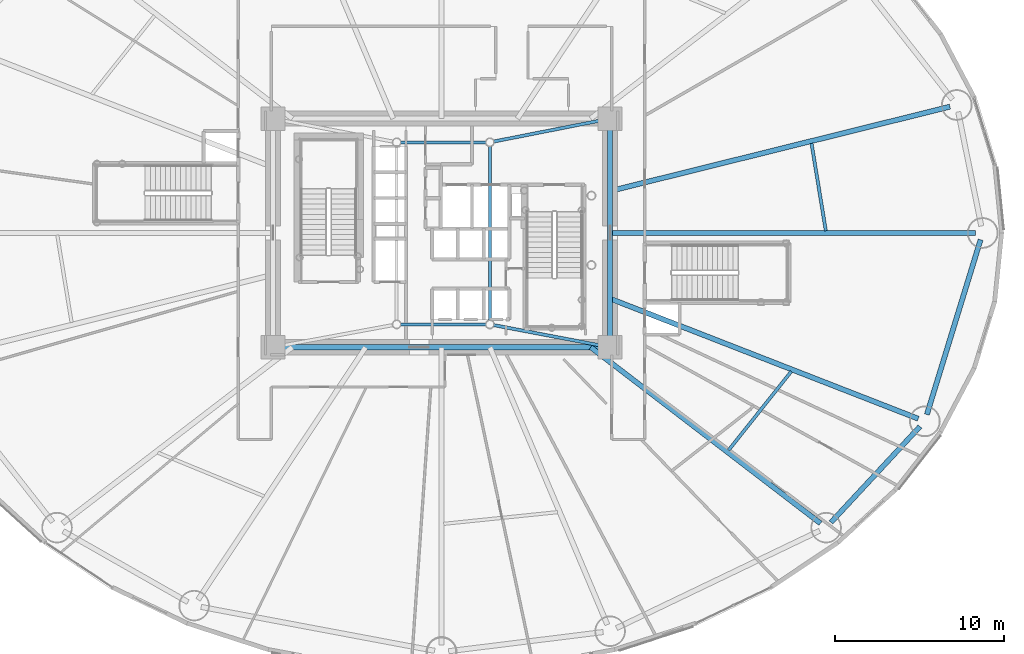
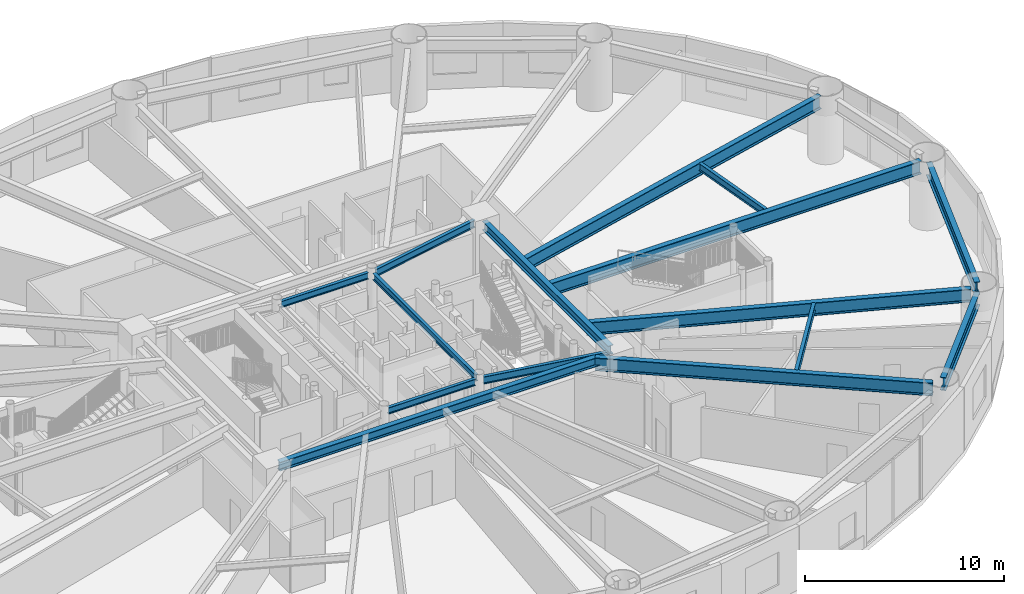
# One storey, part 7 of 27: 15 beams.
"""IFC4 building model written with IfcOpenShell, lengths in metres."""

from ifc_helpers import new_model, si_unit, direction, frame, origin, origin_2d, place, context, subcontext, project, spatial, i_section, extrude, material, material_profile, profile_set, type_object, element, save


model = new_model("IFC4")

# Units and contexts
model_context = context("Model", 3, precision=1e-05, world=origin(), true_north=direction((0.0, 1.0)))
body_context = subcontext(model_context, "Body", "Model", "MODEL_VIEW")
ifc_project = project(units=[si_unit("LENGTHUNIT", "METRE"), si_unit("AREAUNIT", "SQUARE_METRE"), si_unit("VOLUMEUNIT", "CUBIC_METRE"), si_unit("PLANEANGLEUNIT", "RADIAN"), si_unit("MASSUNIT", "GRAM", prefix="KILO")], contexts=[model_context])

# Site, building, storey
site_placement = place(None, origin())
site = spatial("IfcSite", under=ifc_project, at=site_placement, CompositionType="ELEMENT")
building_placement = place(site_placement, origin())
building = spatial("IfcBuilding", under=site, at=building_placement, Name="Linh Dai School and Residence Tower", CompositionType="ELEMENT")
storey_placement = place(building_placement, frame((0.0, 0.0, 14.39990234375)))
storey = spatial("IfcBuildingStorey", under=building, at=storey_placement, Name="L03", CompositionType="ELEMENT", Elevation=14.39990234375)

# Beams
ifc_material = material(Name="Structural Steel S355JR", Category="steel")
ifc_material_profile_1 = material_profile(ifc_material, i_section(OverallWidth=0.300048828125, OverallDepth=0.550048828125, WebThickness=0.014892578125, FlangeThickness=0.029052734375, FilletRadius=0.027099609375, at=origin_2d()), Name="HEB 550")
ifc_profile_set_1 = profile_set([ifc_material_profile_1], Name="Structural Steel S355JR")
beam_type_1 = type_object("IfcBeamType", Name="BM-RG55", PredefinedType="BEAM", material=ifc_profile_set_1)
beam_1_placement = place(storey_placement, frame((26.469970703125, 20.25, 3.625), z_axis=(1.0, 0.0, 0.0), x_axis=(0.0, 1.0, 0.0)))
element("IfcBeam", 1, at=beam_1_placement, inside=storey, type_object=beam_type_1, Name="L03 Core Perimeter Coupling Girder 1", PredefinedType="BEAM", context=body_context, shape_type="SweptSolid", body=[
    extrude(i_section(OverallWidth=0.300048828125, OverallDepth=0.550048828125, WebThickness=0.014892578125, FlangeThickness=0.029052734375, FilletRadius=0.027099609375, at=origin_2d()), origin(), (0.0, 0.0, 1.0), 19.06005859375),
])
beam_2_placement = place(storey_placement, frame((45.949951171875, 20.669921875, 3.625), z_axis=(0.0, 1.0, 0.0), x_axis=(-1.0, 0.0, 0.0)))
element("IfcBeam", 2, at=beam_2_placement, inside=storey, type_object=beam_type_1, Name="L03 Core Perimeter Coupling Girder 2", PredefinedType="BEAM", context=body_context, shape_type="SweptSolid", body=[
    extrude(i_section(OverallWidth=0.300048828125, OverallDepth=0.550048828125, WebThickness=0.014892578125, FlangeThickness=0.029052734375, FilletRadius=0.027099609375, at=origin_2d()), origin(), (0.0, 0.0, 1.0), 12.66015625),
])
ifc_material_profile_2 = material_profile(ifc_material, i_section(OverallWidth=0.300048828125, OverallDepth=0.800048828125, WebThickness=0.017578125, FlangeThickness=0.032958984375, FilletRadius=0.030029296875, at=origin_2d()), Name="HEB 800")
ifc_profile_set_2 = profile_set([ifc_material_profile_2], Name="Structural Steel S355JR")
beam_type_2 = type_object("IfcBeamType", Name="BM-RG8", PredefinedType="BEAM", material=ifc_profile_set_2)
beam_3_placement = place(storey_placement, frame((45.949951171875, 27.0, 3.5), z_axis=(1.0, 0.0, 0.0), x_axis=(0.0, 1.0, 0.0)))
element("IfcBeam", 3, at=beam_3_placement, inside=storey, type_object=beam_type_2, Name="L03 Primary Radial Floor Girder 01", PredefinedType="BEAM", context=body_context, shape_type="SweptSolid", body=[
    extrude(i_section(OverallWidth=0.300048828125, OverallDepth=0.800048828125, WebThickness=0.017578125, FlangeThickness=0.032958984375, FilletRadius=0.030029296875, at=origin_2d()), origin(), (0.0, 0.0, 1.0), 21.580078125),
])
beam_4_placement = place(storey_placement, frame((45.949951171875, 29.47119140625, 3.5), z_axis=(0.970515097282, 0.241040340913, 0.0), x_axis=(-0.241040340913, 0.970515097282, 0.0)))
element("IfcBeam", 4, at=beam_4_placement, inside=storey, type_object=beam_type_2, Name="L03 Primary Radial Floor Girder 02", PredefinedType="BEAM", context=body_context, shape_type="SweptSolid", body=[
    extrude(i_section(OverallWidth=0.300048828125, OverallDepth=0.800048828125, WebThickness=0.017578125, FlangeThickness=0.032958984375, FilletRadius=0.030029296875, at=origin_2d()), origin(), (0.0, 0.0, 1.0), 20.672607421875),
])
beam_5_placement = place(storey_placement, frame((44.807861328125, 20.25, 3.5), z_axis=(0.793713040757, -0.608292371259, 0.0), x_axis=(0.608292371259, 0.793713040757, 0.0)))
element("IfcBeam", 5, at=beam_5_placement, inside=storey, type_object=beam_type_2, Name="L03 Primary Radial Floor Girder 15", PredefinedType="BEAM", context=body_context, shape_type="SweptSolid", body=[
    extrude(i_section(OverallWidth=0.300048828125, OverallDepth=0.800048828125, WebThickness=0.017578125, FlangeThickness=0.032958984375, FilletRadius=0.030029296875, at=origin_2d()), origin(), (0.0, 0.0, 1.0), 17.08935546875),
])
beam_6_placement = place(storey_placement, frame((45.949951171875, 23.12158203125, 3.5), z_axis=(0.931723276589, -0.363169018312, 0.0), x_axis=(0.363169018312, 0.931723276589, 0.0)))
element("IfcBeam", 6, at=beam_6_placement, inside=storey, type_object=beam_type_2, Name="L03 Primary Radial Floor Girder 16", PredefinedType="BEAM", context=body_context, shape_type="SweptSolid", body=[
    extrude(i_section(OverallWidth=0.300048828125, OverallDepth=0.800048828125, WebThickness=0.017578125, FlangeThickness=0.032958984375, FilletRadius=0.030029296875, at=origin_2d()), origin(), (0.0, 0.0, 1.0), 19.525634765625),
])
beam_7_placement = place(storey_placement, frame((58.990966796875, 9.9072265625, 3.5), z_axis=(0.680345653715, 0.73289139132, 0.0), x_axis=(-0.73289139132, 0.680345653715, 0.0)))
element("IfcBeam", 7, at=beam_7_placement, inside=storey, type_object=beam_type_2, Name="L03 Perimeter Elliptical Ring Beam 15", PredefinedType="BEAM", context=body_context, shape_type="SweptSolid", body=[
    extrude(i_section(OverallWidth=0.300048828125, OverallDepth=0.800048828125, WebThickness=0.017578125, FlangeThickness=0.032958984375, FilletRadius=0.030029296875, at=origin_2d()), origin(), (0.0, 0.0, 1.0), 7.726806640625),
])
beam_8_placement = place(storey_placement, frame((64.656982421875, 16.279541015625, 3.5), z_axis=(0.293626522026, 0.955920219246, 0.0), x_axis=(-0.955920219246, 0.293626522026, 0.0)))
element("IfcBeam", 8, at=beam_8_placement, inside=storey, type_object=beam_type_2, Name="L03 Perimeter Elliptical Ring Beam 16", PredefinedType="BEAM", context=body_context, shape_type="SweptSolid", body=[
    extrude(i_section(OverallWidth=0.300048828125, OverallDepth=0.800048828125, WebThickness=0.017578125, FlangeThickness=0.032958984375, FilletRadius=0.030029296875, at=origin_2d()), origin(), (0.0, 0.0, 1.0), 10.794921875),
])
ifc_material_profile_3 = material_profile(ifc_material, i_section(OverallWidth=0.179931640625, OverallDepth=0.39990234375, WebThickness=0.008544921875, FlangeThickness=0.013427734375, FilletRadius=0.02099609375, at=origin_2d()), Name="IPE 400")
ifc_profile_set_3 = profile_set([ifc_material_profile_3], Name="Structural Steel S355JR")
beam_type_3 = type_object("IfcBeamType", Name="BM-SB40", PredefinedType="BEAM", material=ifc_profile_set_3)
beam_9_placement = place(storey_placement, frame((33.573974609375, 21.60009765625, 3.7001953125), z_axis=(1.0, 0.0, 0.0), x_axis=(0.0, 1.0, 0.0)))
element("IfcBeam", 9, at=beam_9_placement, inside=storey, type_object=beam_type_3, Name="L03 Core Mast Pier Tie Beam 1", PredefinedType="BEAM", context=body_context, shape_type="SweptSolid", body=[
    extrude(i_section(OverallWidth=0.179931640625, OverallDepth=0.39990234375, WebThickness=0.008544921875, FlangeThickness=0.013427734375, FilletRadius=0.02099609375, at=origin_2d()), origin(), (0.0, 0.0, 1.0), 5.052001953125),
])
beam_10_placement = place(storey_placement, frame((38.85009765625, 21.823974609375, 3.7001953125), z_axis=(0.0, 1.0, 0.0), x_axis=(-1.0, 0.0, 0.0)))
element("IfcBeam", 10, at=beam_10_placement, inside=storey, type_object=beam_type_3, Name="L03 Core Mast Pier Tie Beam 2", PredefinedType="BEAM", context=body_context, shape_type="SweptSolid", body=[
    extrude(i_section(OverallWidth=0.179931640625, OverallDepth=0.39990234375, WebThickness=0.008544921875, FlangeThickness=0.013427734375, FilletRadius=0.02099609375, at=origin_2d()), origin(), (0.0, 0.0, 1.0), 10.302001953125),
])
beam_11_placement = place(storey_placement, frame((38.6259765625, 32.35009765625, 3.7001953125), z_axis=(-1.0, 0.0, 0.0), x_axis=(0.0, -1.0, 0.0)))
element("IfcBeam", 11, at=beam_11_placement, inside=storey, type_object=beam_type_3, Name="L03 Core Mast Pier Tie Beam 3", PredefinedType="BEAM", context=body_context, shape_type="SweptSolid", body=[
    extrude(i_section(OverallWidth=0.179931640625, OverallDepth=0.39990234375, WebThickness=0.008544921875, FlangeThickness=0.013427734375, FilletRadius=0.02099609375, at=origin_2d()), origin(), (0.0, 0.0, 1.0), 5.052001953125),
])
ifc_material_profile_4 = material_profile(ifc_material, i_section(OverallWidth=0.18994140625, OverallDepth=0.449951171875, WebThickness=0.009521484375, FlangeThickness=0.0146484375, FilletRadius=0.02099609375, at=origin_2d()), Name="IPE 450")
ifc_profile_set_4 = profile_set([ifc_material_profile_4], Name="Structural Steel S355JR")
beam_type_4 = type_object("IfcBeamType", Name="BM-SB45", PredefinedType="BEAM", material=ifc_profile_set_4)
beam_12_placement = place(storey_placement, frame((45.537353515625, 20.328369140625, 3.675048828125), z_axis=(-0.982397918823, 0.186800238471, 0.0), x_axis=(-0.186800238471, -0.982397918823, 0.0)))
element("IfcBeam", 12, at=beam_12_placement, inside=storey, type_object=beam_type_4, Name="L03 Core Corner-to-Mast Pier Beam 2", PredefinedType="BEAM", context=body_context, shape_type="SweptSolid", body=[
    extrude(i_section(OverallWidth=0.18994140625, OverallDepth=0.449951171875, WebThickness=0.009521484375, FlangeThickness=0.0146484375, FilletRadius=0.02099609375, at=origin_2d()), origin(), (0.0, 0.0, 1.0), 6.583251953125),
])
beam_13_placement = place(storey_placement, frame((45.537841796875, 33.668701171875, 3.675048828125), z_axis=(-0.981108354988, -0.193459028666, 0.0), x_axis=(0.193459028666, -0.981108354988, 0.0)))
element("IfcBeam", 13, at=beam_13_placement, inside=storey, type_object=beam_type_4, Name="L03 Core Corner-to-Mast Pier Beam 3", PredefinedType="BEAM", context=body_context, shape_type="SweptSolid", body=[
    extrude(i_section(OverallWidth=0.18994140625, OverallDepth=0.449951171875, WebThickness=0.009521484375, FlangeThickness=0.0146484375, FilletRadius=0.02099609375, at=origin_2d()), origin(), (0.0, 0.0, 1.0), 6.592529296875),
])
beam_14_placement = place(storey_placement, frame((58.68896484375, 27.128173828125, 3.675048828125), z_axis=(-0.161492699369, 0.986873906865, 0.0), x_axis=(-0.986873906865, -0.161492699369, 0.0)))
element("IfcBeam", 14, at=beam_14_placement, inside=storey, type_object=beam_type_4, Name="L03 Secondary Circumferential Floor Beam 01", PredefinedType="BEAM", context=body_context, shape_type="SweptSolid", body=[
    extrude(i_section(OverallWidth=0.18994140625, OverallDepth=0.449951171875, WebThickness=0.009521484375, FlangeThickness=0.0146484375, FilletRadius=0.02099609375, at=origin_2d()), origin(), (0.0, 0.0, 1.0), 5.232177734375),
])
beam_15_placement = place(storey_placement, frame((52.94921875, 14.17431640625, 3.675048828125), z_axis=(0.622928179858, 0.782279031254, 0.0), x_axis=(-0.782279031254, 0.622928179858, 0.0)))
element("IfcBeam", 15, at=beam_15_placement, inside=storey, type_object=beam_type_4, Name="L03 Secondary Circumferential Floor Beam 08", PredefinedType="BEAM", context=body_context, shape_type="SweptSolid", body=[
    extrude(i_section(OverallWidth=0.18994140625, OverallDepth=0.449951171875, WebThickness=0.009521484375, FlangeThickness=0.0146484375, FilletRadius=0.02099609375, at=origin_2d()), origin(), (0.0, 0.0, 1.0), 5.936767578125),
])

save(model, "model.ifc")
